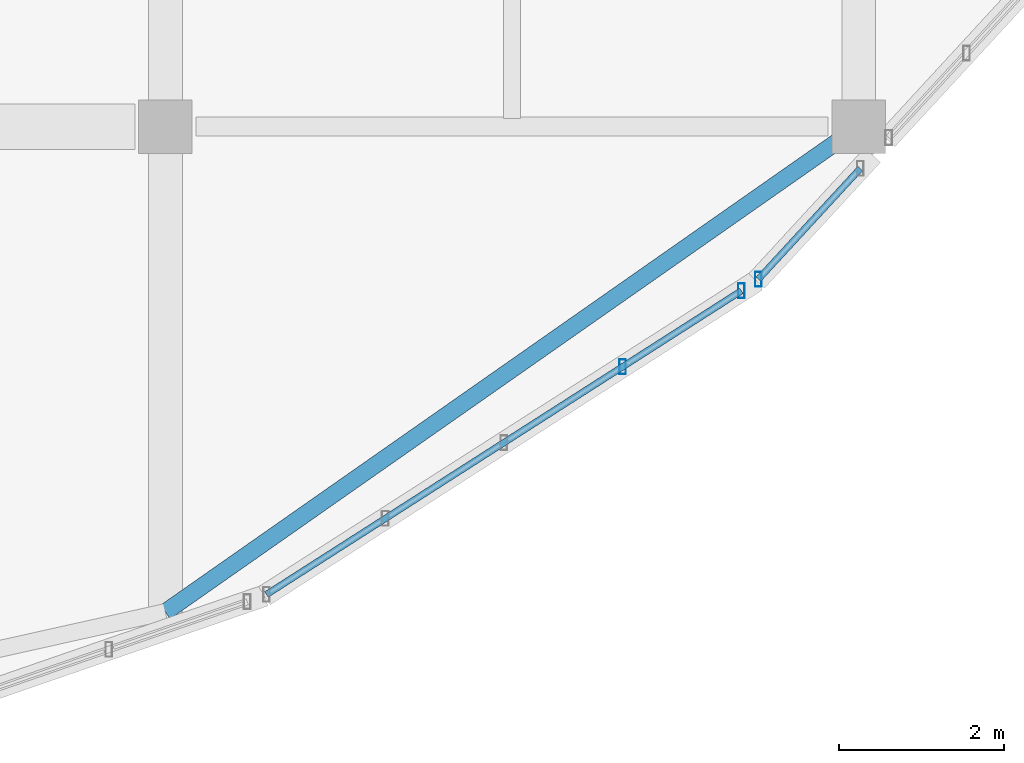
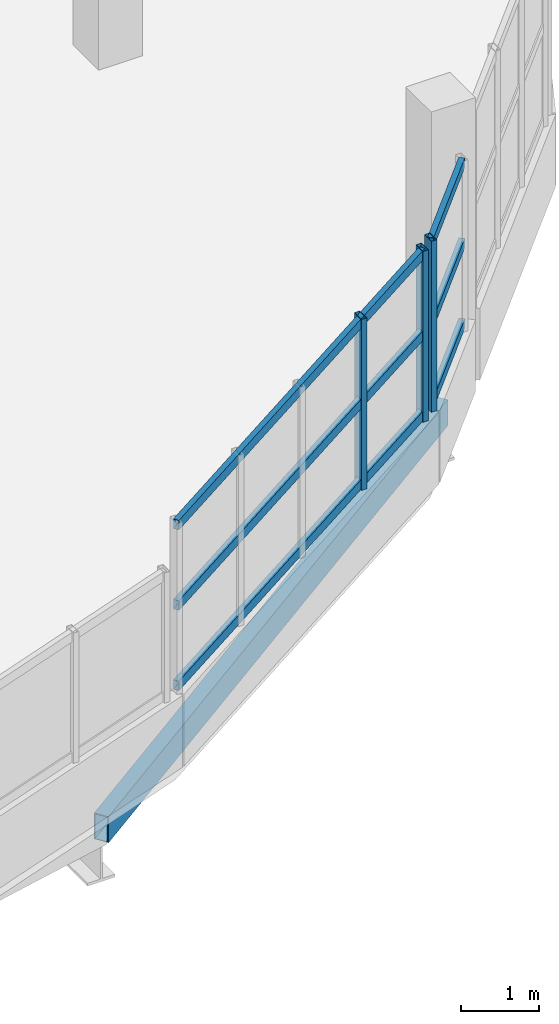
# One storey, part 19 of 50: 9 members, 1 beam, 2 elements without a shape of their own.
"""IFC4 building model written with IfcOpenShell, lengths in metres."""

import ifcopenshell
import ifcopenshell.guid

model = None  # the IFC model being written
_history = None  # IfcOwnerHistory: only IFC2X3 demands one
_inside = {}  # id of a spatial element -> (the spatial element, [elements in it])
_under = {}  # id of a project, library or spatial element -> (it, [spatial elements below it])
_declared = {}  # id of a project -> (the project, [libraries it declares])
_typed = {}  # id of a type object -> (the type object, [elements of that type])
_made_of = {}  # id of a material, layer set ... -> (it, [elements and type objects made of it])


def new_model(schema):
    """Start an empty IFC model of exactly this schema.

    Asked for "IFC4X3", IfcOpenShell would pick the latest addendum, in which some entities
    have other attributes; the version numbers below select the first issue.
    IFC2X3 requires an IfcOwnerHistory on every rooted entity: one is made here for all.
    """
    global model, _history
    if schema == "IFC4X3":
        model = ifcopenshell.file(schema_version=(4, 3, 0, 0))
    else:
        model = ifcopenshell.file(schema=schema)
    _inside.clear()
    _under.clear()
    _declared.clear()
    _typed.clear()
    _made_of.clear()
    _history = None
    if model.schema == "IFC2X3":
        org = make("IfcOrganization", Name="unknown")
        user = make(
            "IfcPersonAndOrganization",
            ThePerson=make("IfcPerson", FamilyName="unknown"),
            TheOrganization=org,
        )
        app = make(
            "IfcApplication",
            ApplicationDeveloper=org,
            Version="unknown",
            ApplicationFullName="unknown",
            ApplicationIdentifier="unknown",
        )
        _history = make(
            "IfcOwnerHistory",
            OwningUser=user,
            OwningApplication=app,
            ChangeAction="ADDED",
            CreationDate=0,
        )
    return model


def make(cls, **values):
    """One entity of the class cls with the attributes given. An attribute that is None is left unset."""
    return model.create_entity(
        cls, **{name: value for name, value in values.items() if value is not None}
    )


def rooted(cls, **values):
    """An entity with a GlobalId (a new one), such as an element, a storey or a relation."""
    return make(cls, GlobalId=ifcopenshell.guid.new(), OwnerHistory=_history, **values)


def si_unit(unit_type, name, prefix=None):
    """IfcSIUnit, for example si_unit("LENGTHUNIT", "METRE", prefix="MILLI")."""
    return make("IfcSIUnit", UnitType=unit_type, Prefix=prefix, Name=name)


def assignment(units):
    """IfcUnitAssignment: the units of a project."""
    return None if units is None else make("IfcUnitAssignment", Units=units)


def point(xyz):
    """IfcCartesianPoint."""
    return None if xyz is None else make("IfcCartesianPoint", Coordinates=xyz)


def direction(xyz):
    """IfcDirection."""
    return None if xyz is None else make("IfcDirection", DirectionRatios=xyz)


def frame(location, z_axis=None, x_axis=None):
    """IfcAxis2Placement3D, a coordinate frame: its origin and axes. An axis left out is left unset."""
    return make(
        "IfcAxis2Placement3D",
        Location=point(location),
        Axis=direction(z_axis),
        RefDirection=direction(x_axis),
    )


def frame_2d(location, x_axis=None):
    """IfcAxis2Placement2D, a coordinate frame in the plane: its origin and x axis."""
    return make(
        "IfcAxis2Placement2D", Location=point(location), RefDirection=direction(x_axis)
    )


def origin():
    """The frame at (0, 0, 0) with its axes left unset."""
    return frame((0.0, 0.0, 0.0))


def origin_2d():
    """The frame at (0, 0) in the plane with its x axis left unset."""
    return frame_2d((0.0, 0.0))


def place(relative_to, where):
    """IfcLocalPlacement: puts the frame where relative to a parent placement (None: the world)."""
    return make(
        "IfcLocalPlacement", PlacementRelTo=relative_to, RelativePlacement=where
    )


def context(
    kind, dimensions, precision=None, world=None, true_north=None, identifier=None
):
    """IfcGeometricRepresentationContext, for example the 3D "Model" context."""
    return make(
        "IfcGeometricRepresentationContext",
        ContextIdentifier=identifier,
        ContextType=kind,
        CoordinateSpaceDimension=dimensions,
        Precision=precision,
        WorldCoordinateSystem=world,
        TrueNorth=true_north,
    )


def subcontext(parent, identifier, kind, view, scale=None):
    """IfcGeometricRepresentationSubContext, for example "Body" below "Model"."""
    return make(
        "IfcGeometricRepresentationSubContext",
        ContextIdentifier=identifier,
        ContextType=kind,
        ParentContext=parent,
        TargetScale=scale,
        TargetView=view,
    )


def project(units=None, contexts=None):
    """IfcProject with its units and contexts."""
    return rooted(
        "IfcProject",
        Name="project",
        RepresentationContexts=contexts,
        UnitsInContext=assignment(units),
    )


def spatial(cls, under=None, at=None, **own):
    """A site, building, storey or space (cls), placed at a placement, below another one or the project."""
    s = rooted(cls, ObjectPlacement=at, **own)
    if under is not None:
        _under.setdefault(under.id(), (under, []))[1].append(s)
    return s


def profile(cls, at=None, kind="AREA", **sizes):
    """A parametric profile (cls). Its sizes go by their IFC names, for example OverallWidth=200.0."""
    return make(cls, ProfileType=kind, Position=at, **sizes)


def hollow_rectangle(**sizes):
    """IfcRectangleHollowProfileDef."""
    return profile("IfcRectangleHollowProfileDef", **sizes)


def extrude(swept, where, along, depth):
    """IfcExtrudedAreaSolid: the profile swept, set in the frame where, extruded along a direction by depth."""
    return make(
        "IfcExtrudedAreaSolid",
        SweptArea=swept,
        Position=where,
        ExtrudedDirection=direction(along),
        Depth=depth,
    )


def shape(context_of_items, identifier, shape_type, items):
    """IfcShapeRepresentation: the items that make up one representation, for example the "Body"."""
    return make(
        "IfcShapeRepresentation",
        ContextOfItems=context_of_items,
        RepresentationIdentifier=identifier,
        RepresentationType=shape_type,
        Items=items,
    )


def material(Name=None, Category=None):
    """IfcMaterial."""
    return make("IfcMaterial", Name=Name, Category=Category)


def material_profile(
    of_material, cross_section, Name=None, Category=None, Priority=None
):
    """IfcMaterialProfile: a cross section and its material."""
    return make(
        "IfcMaterialProfile",
        Name=Name,
        Material=of_material,
        Profile=cross_section,
        Priority=Priority,
        Category=Category,
    )


def profile_set(profiles, Name=None, composite=None):
    """IfcMaterialProfileSet."""
    return make(
        "IfcMaterialProfileSet",
        Name=Name,
        MaterialProfiles=profiles,
        CompositeProfile=composite,
    )


def made_of(thing, what):
    """Note that an element or type object is made of a material, layer set ...; save() writes the relation."""
    if what is not None:
        _made_of.setdefault(what.id(), (what, []))[1].append(thing)
    return thing


def type_object(cls, material=None, **own):
    """A type object (cls), such as IfcWallType, which elements share."""
    return made_of(rooted(cls, **own), material)


def element(
    cls,
    number,
    at=None,
    inside=None,
    cuts=None,
    type_object=None,
    material=None,
    context=None,
    identifier="Body",
    shape_type=None,
    held_by="IfcProductDefinitionShape",
    body=None,
    shapes=None,
    **own,
):
    """One element of the class cls, such as IfcWall. Its Tag is "e" and its number.

    at: its placement. inside: the storey or other place that contains it. cuts: it is an
    opening in that element (IfcRelVoidsElement). A single representation is given by context,
    identifier, shape_type and body (its items); several are given by shapes. held_by: the class
    of the entity that holds the representations. save() writes the other relations.
    """
    e = rooted(cls, Tag="e%d" % number, ObjectPlacement=at, **own)
    if body is not None:
        shapes = [shape(context, identifier, shape_type, body)]
    if shapes is not None:
        e.Representation = make(held_by, Representations=shapes)
    if inside is not None:
        _inside.setdefault(inside.id(), (inside, []))[1].append(e)
    if cuts is not None:
        rooted(
            "IfcRelVoidsElement", RelatingBuildingElement=cuts, RelatedOpeningElement=e
        )
    if type_object is not None:
        _typed.setdefault(type_object.id(), (type_object, []))[1].append(e)
    return made_of(e, material)


def aggregate(whole, parts):
    """IfcRelAggregates: a whole, such as a stair, and the parts it consists of."""
    return rooted("IfcRelAggregates", RelatingObject=whole, RelatedObjects=parts)


def save(model, path):
    """Write the relations noted so far, then the file.

    IfcRelAggregates (storeys below a building ...), IfcRelContainedInSpatialStructure (elements
    in a storey), IfcRelDefinesByType, IfcRelAssociatesMaterial and IfcRelDeclares: one each for
    every whole, place, type object, material and project.
    """
    for whole, parts in _under.values():
        aggregate(whole, parts)
    for where, things in _inside.values():
        rooted(
            "IfcRelContainedInSpatialStructure",
            RelatedElements=things,
            RelatingStructure=where,
        )
    for kind, things in _typed.values():
        rooted("IfcRelDefinesByType", RelatedObjects=things, RelatingType=kind)
    for what, things in _made_of.values():
        rooted("IfcRelAssociatesMaterial", RelatedObjects=things, RelatingMaterial=what)
    for by, libraries in _declared.values():
        rooted("IfcRelDeclares", RelatingContext=by, RelatedDefinitions=libraries)
    model.write(path)


model = new_model("IFC4")

# Units and contexts
model_context = context("Model", 3, precision=1e-05, world=origin(), true_north=direction((0.0, 1.0)))
body_context = subcontext(model_context, "Body", "Model", "MODEL_VIEW")
ifc_project = project(units=[si_unit("LENGTHUNIT", "METRE"), si_unit("AREAUNIT", "SQUARE_METRE"), si_unit("VOLUMEUNIT", "CUBIC_METRE"), si_unit("PLANEANGLEUNIT", "RADIAN"), si_unit("MASSUNIT", "GRAM", prefix="KILO")], contexts=[model_context])

# Site, building, storey
site_placement = place(None, origin())
site = spatial("IfcSite", under=ifc_project, at=site_placement, CompositionType="ELEMENT")
building_placement = place(site_placement, origin())
building = spatial("IfcBuilding", under=site, at=building_placement, Name="Solvento Point Concert Hall", CompositionType="ELEMENT")
storey_placement = place(building_placement, frame((0.0, 0.0, 15.0)))
storey = spatial("IfcBuildingStorey", under=building, at=storey_placement, Name="L03", CompositionType="ELEMENT", Elevation=15.0)

# Curtain wall, member
ifc_material_1 = material(Name="Anodized Bronze Aluminium", Category="aluminium")
curtain_wall_type = type_object("IfcCurtainWallType", Name="CurtainWall_RingRibbon_L03_04", PredefinedType="USERDEFINED", material=ifc_material_1)
curtain_wall_1_placement = place(storey_placement, origin())
curtain_wall_1 = element("IfcCurtainWall", 1, at=curtain_wall_1_placement, inside=storey, type_object=curtain_wall_type, Name="Unitised curtain wall CW-31 UCW-L03-204", ObjectType="UNITISED CURTAIN WALL", PredefinedType="USERDEFINED")
ifc_material_2 = material(Name="Anodized Bronze Aluminium", Category="aluminium")
ifc_material_profile_1 = material_profile(ifc_material_2, hollow_rectangle(XDim=0.080078125, YDim=0.179931640625, WallThickness=0.00390625, at=origin_2d()), Name="CW-MUL-80X180")
ifc_profile_set_1 = profile_set([ifc_material_profile_1], Name="Anodized Bronze Aluminium")
member_type_1 = type_object("IfcMemberType", Name="Mullion_80x180", PredefinedType="MULLION", material=ifc_profile_set_1)
member_1_placement = place(storey_placement, frame((81.5849609375, 15.151611328125, 1.1201171875), z_axis=(0.0, 0.0, 1.0), x_axis=(1.0, 0.0, 0.0)))
member_1 = element("IfcMember", 2, at=member_1_placement, type_object=member_type_1, Name="Curtain wall mullion ML-01", PredefinedType="MULLION", context=body_context, shape_type="SweptSolid", body=[
    extrude(hollow_rectangle(XDim=0.080078125, YDim=0.179931640625, WallThickness=0.00390625, at=origin_2d()), origin(), (0.0, 0.0, 1.0), 2.66748046875),
])

# Curtain wall, members
curtain_wall_2_placement = place(storey_placement, origin())
curtain_wall_2 = element("IfcCurtainWall", 3, at=curtain_wall_2_placement, inside=storey, type_object=curtain_wall_type, Name="Unitised curtain wall CW-31 UCW-L03-205", ObjectType="UNITISED CURTAIN WALL", PredefinedType="USERDEFINED")
member_2_placement = place(storey_placement, frame((81.37939453125, 15.010986328125, 1.1201171875), z_axis=(0.0, 0.0, 1.0), x_axis=(1.0, 0.0, 0.0)))
member_2 = element("IfcMember", 4, at=member_2_placement, type_object=member_type_1, Name="Curtain wall mullion ML-01", PredefinedType="MULLION", context=body_context, shape_type="SweptSolid", body=[
    extrude(hollow_rectangle(XDim=0.080078125, YDim=0.179931640625, WallThickness=0.00390625, at=origin_2d()), origin(), (0.0, 0.0, 1.0), 2.66748046875),
])
member_3_placement = place(storey_placement, frame((79.94091796875, 14.091064453125, 1.1201171875), z_axis=(0.0, 0.0, 1.0), x_axis=(1.0, 0.0, 0.0)))
member_3 = element("IfcMember", 5, at=member_3_placement, type_object=member_type_1, Name="Curtain wall mullion ML-01", PredefinedType="MULLION", context=body_context, shape_type="SweptSolid", body=[
    extrude(hollow_rectangle(XDim=0.080078125, YDim=0.179931640625, WallThickness=0.00390625, at=origin_2d()), origin(), (0.0, 0.0, 1.0), 2.66748046875),
])

# Beam
ifc_material_3 = material(Name="Structural Steel ASTM A500 Grade C", Category="steel")
ifc_material_profile_2 = material_profile(ifc_material_3, hollow_rectangle(XDim=0.203125, YDim=0.406494140625, WallThickness=0.01171875, at=origin_2d()), Name="HSS16X8X1/2")
ifc_profile_set_2 = profile_set([ifc_material_profile_2], Name="Structural Steel ASTM A500 Grade C")
beam_type = type_object("IfcBeamType", Name="RingBeam_HSS16X8", PredefinedType="SPANDREL", material=ifc_profile_set_2)
beam_placement = place(storey_placement, frame((74.39990234375, 11.119384765625, -0.46728515625), z_axis=(0.819208430067, 0.573495900689, 0.0), x_axis=(-0.573495900689, 0.819208430067, 0.0)))
element("IfcBeam", 6, at=beam_placement, inside=storey, type_object=beam_type, Name="Elliptical perimeter ring beam RB-01 L03", PredefinedType="SPANDREL", context=body_context, shape_type="SweptSolid", body=[
    extrude(hollow_rectangle(XDim=0.203125, YDim=0.406494140625, WallThickness=0.01171875, at=origin_2d()), origin(), (0.0, 0.0, 1.0), 10.25390625),
])

# Member
ifc_material_4 = material(Name="Anodized Bronze Aluminium", Category="aluminium")
ifc_material_profile_3 = material_profile(ifc_material_4, hollow_rectangle(XDim=0.080078125, YDim=0.14990234375, WallThickness=0.00390625, at=origin_2d()), Name="CW-TRN-80X150")
ifc_profile_set_3 = profile_set([ifc_material_profile_3], Name="Anodized Bronze Aluminium")
member_type_2 = type_object("IfcMemberType", Name="Transom_80x150", PredefinedType="USERDEFINED", material=ifc_profile_set_3)
member_4_placement = place(storey_placement, frame((82.820556640625, 16.4931640625, 1.199951171875), z_axis=(-0.677462413839, -0.735557392619, 0.0), x_axis=(0.735557392619, -0.677462413839, 0.0)))
member_4 = element("IfcMember", 7, at=member_4_placement, type_object=member_type_2, Name="Curtain wall transom TR-01", ObjectType="TRANSOM", PredefinedType="USERDEFINED", context=body_context, shape_type="SweptSolid", body=[
    extrude(hollow_rectangle(XDim=0.080078125, YDim=0.14990234375, WallThickness=0.00390625, at=origin_2d()), origin(), (0.0, 0.0, 1.0), 1.823974609375),
])

member_5_placement = place(storey_placement, frame((82.820556640625, 16.4931640625, 2.453857421875), z_axis=(-0.677462413839, -0.735557392619, 0.0), x_axis=(0.735557392619, -0.677462413839, 0.0)))
member_5 = element("IfcMember", 8, at=member_5_placement, type_object=member_type_2, Name="Curtain wall transom TR-01", ObjectType="TRANSOM", PredefinedType="USERDEFINED", context=body_context, shape_type="SweptSolid", body=[
    extrude(hollow_rectangle(XDim=0.080078125, YDim=0.14990234375, WallThickness=0.00390625, at=origin_2d()), origin(), (0.0, 0.0, 1.0), 1.823974609375),
])

member_6_placement = place(storey_placement, frame((82.820556640625, 16.4931640625, 3.70751953125), z_axis=(-0.677462413839, -0.735557392619, 0.0), x_axis=(0.735557392619, -0.677462413839, 0.0)))
member_6 = element("IfcMember", 9, at=member_6_placement, type_object=member_type_2, Name="Curtain wall transom TR-01", ObjectType="TRANSOM", PredefinedType="USERDEFINED", context=body_context, shape_type="SweptSolid", body=[
    extrude(hollow_rectangle(XDim=0.080078125, YDim=0.14990234375, WallThickness=0.00390625, at=origin_2d()), origin(), (0.0, 0.0, 1.0), 1.823974609375),
])

aggregate(curtain_wall_1, [member_1, member_4, member_5, member_6])

member_7_placement = place(storey_placement, frame((81.37939453125, 15.010986328125, 1.199951171875), z_axis=(-0.84248491473, -0.53871993508, 0.0), x_axis=(0.53871993508, -0.84248491473, 0.0)))
member_7 = element("IfcMember", 10, at=member_7_placement, type_object=member_type_2, Name="Curtain wall transom TR-01", ObjectType="TRANSOM", PredefinedType="USERDEFINED", context=body_context, shape_type="SweptSolid", body=[
    extrude(hollow_rectangle(XDim=0.080078125, YDim=0.14990234375, WallThickness=0.00390625, at=origin_2d()), origin(), (0.0, 0.0, 1.0), 6.830078125),
])

member_8_placement = place(storey_placement, frame((81.37939453125, 15.010986328125, 2.453857421875), z_axis=(-0.84248491473, -0.53871993508, 0.0), x_axis=(0.53871993508, -0.84248491473, 0.0)))
member_8 = element("IfcMember", 11, at=member_8_placement, type_object=member_type_2, Name="Curtain wall transom TR-01", ObjectType="TRANSOM", PredefinedType="USERDEFINED", context=body_context, shape_type="SweptSolid", body=[
    extrude(hollow_rectangle(XDim=0.080078125, YDim=0.14990234375, WallThickness=0.00390625, at=origin_2d()), origin(), (0.0, 0.0, 1.0), 6.830078125),
])

member_9_placement = place(storey_placement, frame((81.37939453125, 15.010986328125, 3.70751953125), z_axis=(-0.84248491473, -0.53871993508, 0.0), x_axis=(0.53871993508, -0.84248491473, 0.0)))
member_9 = element("IfcMember", 12, at=member_9_placement, type_object=member_type_2, Name="Curtain wall transom TR-01", ObjectType="TRANSOM", PredefinedType="USERDEFINED", context=body_context, shape_type="SweptSolid", body=[
    extrude(hollow_rectangle(XDim=0.080078125, YDim=0.14990234375, WallThickness=0.00390625, at=origin_2d()), origin(), (0.0, 0.0, 1.0), 6.830078125),
])

aggregate(curtain_wall_2, [member_2, member_3, member_7, member_8, member_9])

save(model, "model.ifc")
